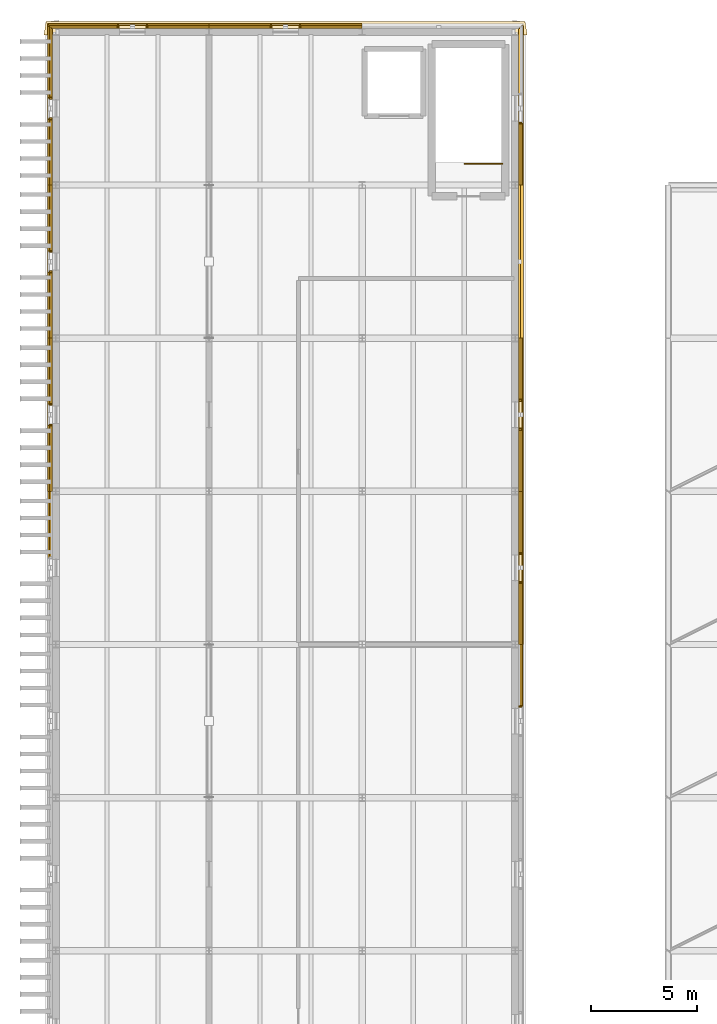
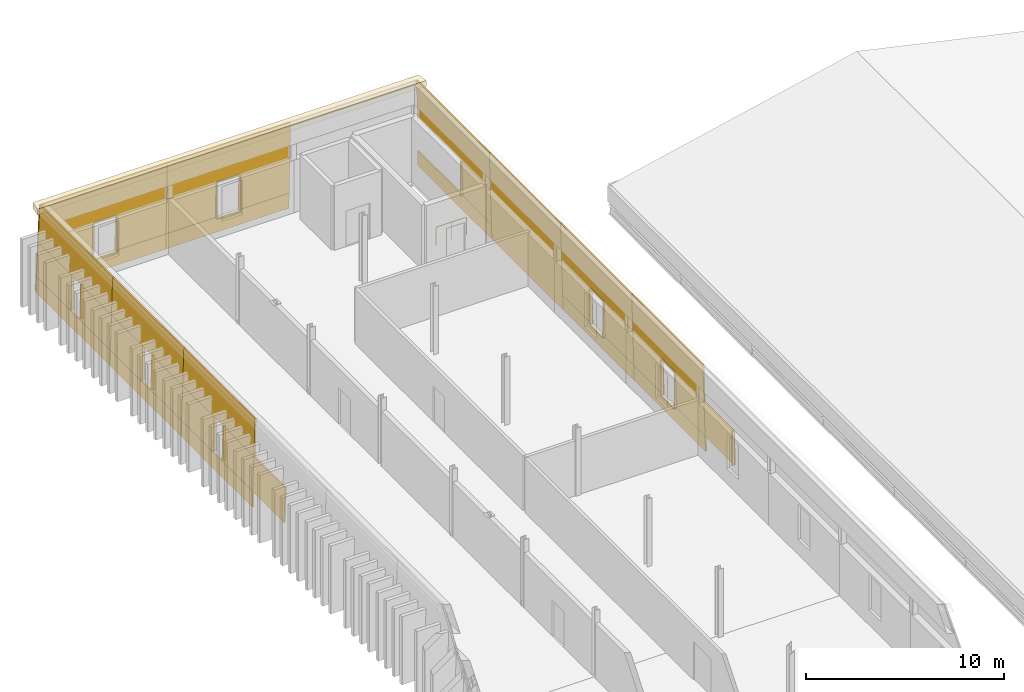
# One storey, part 42 of 44: 59 coverings, 1 railing.
"""IFC4 building model written with IfcOpenShell, lengths in metres."""

from ifc_helpers import new_model, si_unit, direction, frame, origin, origin_2d, place, context, subcontext, project, spatial, polyline, circle, outline, extrude, material, layer, layer_set, type_object, element, save


model = new_model("IFC4")

# Units and contexts
model_context = context("Model", 3, precision=1e-05, world=origin(), true_north=direction((0.0, 1.0)))
body_context = subcontext(model_context, "Body", "Model", "MODEL_VIEW")
ifc_project = project(units=[si_unit("LENGTHUNIT", "METRE"), si_unit("AREAUNIT", "SQUARE_METRE"), si_unit("VOLUMEUNIT", "CUBIC_METRE"), si_unit("PLANEANGLEUNIT", "RADIAN"), si_unit("MASSUNIT", "GRAM", prefix="KILO")], contexts=[model_context])

# Site, building, storey
site_placement = place(None, origin())
site = spatial("IfcSite", under=ifc_project, at=site_placement, CompositionType="ELEMENT")
building_placement = place(site_placement, origin())
building = spatial("IfcBuilding", under=site, at=building_placement, Name="Narikvali Park Central Library", CompositionType="ELEMENT")
storey_placement = place(building_placement, frame((0.0, 0.0, 22.800048828125)))
storey = spatial("IfcBuildingStorey", under=building, at=storey_placement, Name="L05", CompositionType="ELEMENT", Elevation=22.800048828125)

# Coverings
ifc_material_1 = material(Name="White Honed Limestone Cladding", Category="masonry")
ifc_layer_1 = layer(ifc_material_1, 0.0849609375, Name="White Honed Limestone Cladding")
ifc_layer_set_1 = layer_set([ifc_layer_1], Name="White Honed Limestone Cladding")
covering_type_1 = type_object("IfcCoveringType", Name="Battered White Limestone Facade Cladding Panel", PredefinedType="CLADDING", material=ifc_layer_set_1)
covering_1_placement = place(storey_placement, frame((21.96630859375, 76.239990234375, 0.949951171875), z_axis=(0.99959725493, 0.0, 0.028378300447), x_axis=(0.0, 1.0, 0.0)))
element("IfcCovering", 1, at=covering_1_placement, inside=storey, type_object=covering_type_1, Name="V5 L05 E Battered Limestone Jamb Pier R B05", PredefinedType="CLADDING", context=body_context, shape_type="SweptSolid", body=[
    extrude(outline(polyline([(0.0, 0.0), (2.9599609375, 0.0), (2.9599609375, 2.150768555182125), (0.0, 2.150768555182125), (0.0, 0.0)])), origin(), (0.0, 0.0, -1.0), 0.0849609375),
])
covering_2_placement = place(storey_placement, frame((21.9931640625, 79.199951171875, 0.0), z_axis=(0.999600632529, 0.0, 0.02825907725), x_axis=(0.0, 1.0, 0.0)))
element("IfcCovering", 2, at=covering_2_placement, inside=storey, type_object=covering_type_1, Name="V5 L05 E Battered Limestone Spandrel B06", PredefinedType="CLADDING", context=body_context, shape_type="SweptSolid", body=[
    extrude(outline(polyline([(0.0, 0.0), (7.199951171875, 0.0), (7.199951171875, 0.9503307030441919), (0.0, 0.9503307030441919), (0.0, 0.0)])), origin(), (0.0, 0.0, -1.0), 0.0849609375),
])
covering_3_placement = place(storey_placement, frame((21.9052734375, 79.199951171875, 3.099853515625), z_axis=(0.999598637315, 0.0, 0.028329565456), x_axis=(0.0, 1.0, 0.0)))
element("IfcCovering", 3, at=covering_3_placement, inside=storey, type_object=covering_type_1, Name="V5 L05 E Battered Limestone Lintel B06", PredefinedType="CLADDING", context=body_context, shape_type="SweptSolid", body=[
    extrude(outline(polyline([(0.0, 0.0), (7.199951171875, 0.0), (7.199951171875, 2.3009723525676224), (0.0, 2.3009723525676224), (0.0, 0.0)])), origin(), (0.0, 0.0, -1.0), 0.0849609375),
])
for number, where, z_axis, x_axis, name in (
    (4, (21.96630859375, 79.199951171875, 0.949951171875), (0.99959725493, 0.0, 0.028378300447), (0.0, 1.0, 0.0), "V5 L05 E Battered Limestone Jamb Pier L B06"),
    (5, (21.96630859375, 83.43994140625, 0.949951171875), (0.99959725493, 0.0, 0.028378300447), (0.0, 1.0, 0.0), "V5 L05 E Battered Limestone Jamb Pier R B06"),
):
    element("IfcCovering", number, at=place(storey_placement, frame(where, z_axis=z_axis, x_axis=x_axis)), inside=storey, type_object=covering_type_1, Name=name, PredefinedType="CLADDING", context=body_context, shape_type="SweptSolid", body=[
        extrude(outline(polyline([(0.0, 0.0), (2.9599609375, 0.0), (2.9599609375, 2.150768555182125), (0.0, 2.150768555182125), (0.0, 0.0)])), origin(), (0.0, 0.0, -1.0), 0.0849609375),
    ])
covering_4_placement = place(storey_placement, frame((21.9931640625, 86.39990234375, 0.0), z_axis=(0.999600632529, 0.0, 0.02825907725), x_axis=(0.0, 1.0, 0.0)))
element("IfcCovering", 6, at=covering_4_placement, inside=storey, type_object=covering_type_1, Name="V5 L05 E Battered Limestone Spandrel B07", PredefinedType="CLADDING", context=body_context, shape_type="SweptSolid", body=[
    extrude(outline(polyline([(0.0, 0.0), (7.2001953125, 0.0), (7.2001953125, 0.950330703044192), (0.0, 0.950330703044192), (0.0, 0.0)])), origin(), (0.0, 0.0, -1.0), 0.0849609375),
])
covering_5_placement = place(storey_placement, frame((21.9052734375, 86.39990234375, 3.099853515625), z_axis=(0.999598637315, 0.0, 0.028329565456), x_axis=(0.0, 1.0, 0.0)))
element("IfcCovering", 7, at=covering_5_placement, inside=storey, type_object=covering_type_1, Name="V5 L05 E Battered Limestone Lintel B07", PredefinedType="CLADDING", context=body_context, shape_type="SweptSolid", body=[
    extrude(outline(polyline([(0.0, 0.0), (7.2001953125, 0.0), (7.2001953125, 2.300972352567622), (0.0, 2.300972352567622), (0.0, 0.0)])), origin(), (0.0, 0.0, -1.0), 0.0849609375),
])
for number, where, z_axis, x_axis, name in (
    (8, (21.96630859375, 86.39990234375, 0.949951171875), (0.99959725493, 0.0, 0.028378300447), (0.0, 1.0, 0.0), "V5 L05 E Battered Limestone Jamb Pier L B07"),
    (9, (21.96630859375, 90.639892578125, 0.949951171875), (0.99959725493, 0.0, 0.028378300447), (0.0, 1.0, 0.0), "V5 L05 E Battered Limestone Jamb Pier R B07"),
):
    element("IfcCovering", number, at=place(storey_placement, frame(where, z_axis=z_axis, x_axis=x_axis)), inside=storey, type_object=covering_type_1, Name=name, PredefinedType="CLADDING", context=body_context, shape_type="SweptSolid", body=[
        extrude(outline(polyline([(0.0, 0.0), (2.960205078125, 0.0), (2.960205078125, 2.150768555182125), (0.0, 2.150768555182125), (0.0, 0.0)])), origin(), (0.0, 0.0, -1.0), 0.0849609375),
    ])
covering_6_placement = place(storey_placement, frame((21.9931640625, 93.60009765625, 0.0), z_axis=(0.999598438818, 0.0, 0.028336568457), x_axis=(0.0, 1.0, 0.0)))
element("IfcCovering", 10, at=covering_6_placement, inside=storey, type_object=covering_type_1, Name="V5 L05 E Battered Limestone Panel B08", PredefinedType="CLADDING", context=body_context, shape_type="SweptSolid", body=[
    extrude(outline(polyline([(0.0, 0.0), (7.199951171875, 0.0), (7.199951171875, 5.402071606007519), (0.0, 5.402071606007519), (0.0, 0.0)])), origin(), (0.0, 0.0, -1.0), 0.0849609375),
])
covering_7_placement = place(storey_placement, frame((21.9931640625, 100.800048828125, 0.0), z_axis=(0.999600632529, 0.0, 0.02825907725), x_axis=(0.0, 1.0, 0.0)))
element("IfcCovering", 11, at=covering_7_placement, inside=storey, type_object=covering_type_1, Name="V5 L05 E Battered Limestone Spandrel B09", PredefinedType="CLADDING", context=body_context, shape_type="SweptSolid", body=[
    extrude(outline(polyline([(0.0, 0.0), (7.508056640625, 0.0), (7.481201171875, 0.9503307030441919), (0.0, 0.9503307030441919), (0.0, 0.0)])), origin(), (0.0, 0.0, -1.0), 0.0849609375),
])
covering_8_placement = place(storey_placement, frame((21.9052734375, 100.800048828125, 3.099853515625), z_axis=(0.999598637315, 0.0, 0.028329565456), x_axis=(0.0, 1.0, 0.0)))
element("IfcCovering", 12, at=covering_8_placement, inside=storey, type_object=covering_type_1, Name="V5 L05 E Battered Limestone Lintel B09", PredefinedType="CLADDING", context=body_context, shape_type="SweptSolid", body=[
    extrude(outline(polyline([(0.0, 0.0), (7.420166015625, 0.0), (7.35498046875, 2.3009723525676224), (0.0, 2.3009723525676224), (0.0, 0.0)])), origin(), (0.0, 0.0, -1.0), 0.0849609375),
])
covering_9_placement = place(storey_placement, frame((21.96630859375, 100.800048828125, 0.949951171875), z_axis=(0.99959725493, 0.0, 0.028378300447), x_axis=(0.0, 1.0, 0.0)))
element("IfcCovering", 13, at=covering_9_placement, inside=storey, type_object=covering_type_1, Name="V5 L05 E Battered Limestone Jamb Pier L B09", PredefinedType="CLADDING", context=body_context, shape_type="SweptSolid", body=[
    extrude(outline(polyline([(0.0, 0.0), (2.9599609375, 0.0), (2.9599609375, 2.150768555182125), (0.0, 2.150768555182125), (0.0, 0.0)])), origin(), (0.0, 0.0, -1.0), 0.0849609375),
])
covering_10_placement = place(storey_placement, frame((14.39990234375, 108.393310546875, 0.0), z_axis=(0.0, 0.999593342746, 0.028515769994), x_axis=(-1.0, 0.0, 0.0)))
element("IfcCovering", 14, at=covering_10_placement, inside=storey, type_object=covering_type_1, Name="V5 L05 N Battered Limestone Spandrel B02", PredefinedType="CLADDING", context=body_context, shape_type="SweptSolid", body=[
    extrude(outline(polyline([(0.0, 0.0), (7.199951171875, 0.0), (7.199951171875, 0.9503376335676513), (0.0, 0.9503376335676513), (0.0, 0.0)])), origin(), (0.0, 0.0, -1.0), 0.0849609375),
])
covering_11_placement = place(storey_placement, frame((14.39990234375, 108.30517578125, 3.099853515625), z_axis=(0.0, 0.999598637315, 0.028329565456), x_axis=(-1.0, 0.0, 0.0)))
element("IfcCovering", 15, at=covering_11_placement, inside=storey, type_object=covering_type_1, Name="V5 L05 N Battered Limestone Lintel B02", PredefinedType="CLADDING", context=body_context, shape_type="SweptSolid", body=[
    extrude(outline(polyline([(0.0, 0.0), (7.199951171875, 0.0), (7.199951171875, 2.3009723525676224), (0.0, 2.3009723525676224), (0.0, 0.0)])), origin(), (0.0, 0.0, -1.0), 0.0849609375),
])
for number, where, z_axis, x_axis, name in (
    (16, (14.39990234375, 108.3662109375, 0.949951171875), (0.0, 0.99959725493, 0.028378300447), (-1.0, 0.0, 0.0), "V5 L05 N Battered Limestone Jamb Pier L B02"),
    (17, (10.159912109375, 108.3662109375, 0.949951171875), (0.0, 0.99959725493, 0.028378300447), (-1.0, 0.0, 0.0), "V5 L05 N Battered Limestone Jamb Pier R B02"),
):
    element("IfcCovering", number, at=place(storey_placement, frame(where, z_axis=z_axis, x_axis=x_axis)), inside=storey, type_object=covering_type_1, Name=name, PredefinedType="CLADDING", context=body_context, shape_type="SweptSolid", body=[
        extrude(outline(polyline([(0.0, 0.0), (2.9599609375, 0.0), (2.9599609375, 2.150768555182125), (0.0, 2.150768555182125), (0.0, 0.0)])), origin(), (0.0, 0.0, -1.0), 0.0849609375),
    ])
covering_12_placement = place(storey_placement, frame((7.199951171875, 108.393310546875, 0.0), z_axis=(0.0, 0.999593342746, 0.028515769994), x_axis=(-1.0, 0.0, 0.0)))
element("IfcCovering", 18, at=covering_12_placement, inside=storey, type_object=covering_type_1, Name="V5 L05 N Battered Limestone Spandrel B03", PredefinedType="CLADDING", context=body_context, shape_type="SweptSolid", body=[
    extrude(outline(polyline([(0.0, 0.0), (7.59326171875, 0.0), (7.566162109375, 0.9503376335676512), (0.0, 0.9503376335676512), (0.0, 0.0)])), origin(), (0.0, 0.0, -1.0), 0.0849609375),
])
covering_13_placement = place(storey_placement, frame((7.199951171875, 108.30517578125, 3.099853515625), z_axis=(0.0, 0.999598637315, 0.028329565456), x_axis=(-1.0, 0.0, 0.0)))
element("IfcCovering", 19, at=covering_13_placement, inside=storey, type_object=covering_type_1, Name="V5 L05 N Battered Limestone Lintel B03", PredefinedType="CLADDING", context=body_context, shape_type="SweptSolid", body=[
    extrude(outline(polyline([(0.0, 0.0), (7.505126953125, 0.0), (7.43994140625, 2.300972352567622), (0.0, 2.300972352567622), (0.0, 0.0)])), origin(), (0.0, 0.0, -1.0), 0.0849609375),
])
covering_14_placement = place(storey_placement, frame((7.199951171875, 108.3662109375, 0.949951171875), z_axis=(0.0, 0.99959725493, 0.028378300447), x_axis=(-1.0, 0.0, 0.0)))
element("IfcCovering", 20, at=covering_14_placement, inside=storey, type_object=covering_type_1, Name="V5 L05 N Battered Limestone Jamb Pier L B03", PredefinedType="CLADDING", context=body_context, shape_type="SweptSolid", body=[
    extrude(outline(polyline([(0.0, 0.0), (2.9599609375, 0.0), (2.9599609375, 2.150768555182125), (0.0, 2.150768555182125), (0.0, 0.0)])), origin(), (0.0, 0.0, -1.0), 0.0849609375),
])
covering_15_placement = place(storey_placement, frame((2.9599609375, 108.3662109375, 0.949951171875), z_axis=(0.0, 0.99959725493, 0.028378300447), x_axis=(-1.0, 0.0, 0.0)))
element("IfcCovering", 21, at=covering_15_placement, inside=storey, type_object=covering_type_1, Name="V5 L05 N Battered Limestone Jamb Pier R B03", PredefinedType="CLADDING", context=body_context, shape_type="SweptSolid", body=[
    extrude(outline(polyline([(0.0, 0.0), (3.326171875, 0.0), (3.26513671875, 2.150768555182125), (0.0, 2.150768555182125), (0.0, 0.0)])), origin(), (0.0, 0.0, -1.0), 0.0849609375),
])
covering_16_placement = place(storey_placement, frame((-0.393310546875, 108.30810546875, 0.0), z_axis=(-0.999593342746, 0.0, 0.028515769994), x_axis=(0.0, -1.0, 0.0)))
element("IfcCovering", 22, at=covering_16_placement, inside=storey, type_object=covering_type_1, Name="V5 L05 W Battered Limestone Spandrel B01", PredefinedType="CLADDING", context=body_context, shape_type="SweptSolid", body=[
    extrude(outline(polyline([(0.0, 0.0), (7.508056640625, 0.0), (7.508056640625, 0.9503376335676512), (0.02685546875, 0.9503376335676512), (0.0, 0.0)])), origin(), (0.0, 0.0, -1.0), 0.0849609375),
])
covering_17_placement = place(storey_placement, frame((-0.30517578125, 108.22021484375, 3.099853515625), z_axis=(-0.999598637315, 0.0, 0.028329565456), x_axis=(0.0, -1.0, 0.0)))
element("IfcCovering", 23, at=covering_17_placement, inside=storey, type_object=covering_type_1, Name="V5 L05 W Battered Limestone Lintel B01", PredefinedType="CLADDING", context=body_context, shape_type="SweptSolid", body=[
    extrude(outline(polyline([(0.0, 0.0), (7.420166015625, 0.0), (7.420166015625, 2.3009723525676224), (0.065185546875, 2.3009723525676224), (0.0, 0.0)])), origin(), (0.0, 0.0, -1.0), 0.0849609375),
])
covering_18_placement = place(storey_placement, frame((-0.3662109375, 108.28125, 0.949951171875), z_axis=(-0.99959725493, 0.0, 0.028378300447), x_axis=(0.0, -1.0, 0.0)))
element("IfcCovering", 24, at=covering_18_placement, inside=storey, type_object=covering_type_1, Name="V5 L05 W Battered Limestone Jamb Pier L B01", PredefinedType="CLADDING", context=body_context, shape_type="SweptSolid", body=[
    extrude(outline(polyline([(0.0, 0.0), (3.441162109375, 0.0), (3.441162109375, 2.150768555182125), (0.06103515625, 2.150768555182125), (0.0, 0.0)])), origin(), (0.0, 0.0, -1.0), 0.0849609375),
])
covering_19_placement = place(storey_placement, frame((-0.3662109375, 103.9599609375, 0.949951171875), z_axis=(-0.99959725493, 0.0, 0.028378300447), x_axis=(0.0, -1.0, 0.0)))
element("IfcCovering", 25, at=covering_19_placement, inside=storey, type_object=covering_type_1, Name="V5 L05 W Battered Limestone Jamb Pier R B01", PredefinedType="CLADDING", context=body_context, shape_type="SweptSolid", body=[
    extrude(outline(polyline([(0.0, 0.0), (3.159912109375, 0.0), (3.159912109375, 2.150768555182125), (0.0, 2.150768555182125), (0.0, 0.0)])), origin(), (0.0, 0.0, -1.0), 0.0849609375),
])
covering_20_placement = place(storey_placement, frame((-0.393310546875, 100.800048828125, 0.0), z_axis=(-0.999593342746, 0.0, 0.028515769994), x_axis=(0.0, -1.0, 0.0)))
element("IfcCovering", 26, at=covering_20_placement, inside=storey, type_object=covering_type_1, Name="V5 L05 W Battered Limestone Spandrel B02", PredefinedType="CLADDING", context=body_context, shape_type="SweptSolid", body=[
    extrude(outline(polyline([(0.0, 0.0), (7.199951171875, 0.0), (7.199951171875, 0.9503376335676513), (0.0, 0.9503376335676513), (0.0, 0.0)])), origin(), (0.0, 0.0, -1.0), 0.0849609375),
])
covering_21_placement = place(storey_placement, frame((-0.30517578125, 100.800048828125, 3.099853515625), z_axis=(-0.999598637315, 0.0, 0.028329565456), x_axis=(0.0, -1.0, 0.0)))
element("IfcCovering", 27, at=covering_21_placement, inside=storey, type_object=covering_type_1, Name="V5 L05 W Battered Limestone Lintel B02", PredefinedType="CLADDING", context=body_context, shape_type="SweptSolid", body=[
    extrude(outline(polyline([(0.0, 0.0), (7.199951171875, 0.0), (7.199951171875, 2.3009723525676224), (0.0, 2.3009723525676224), (0.0, 0.0)])), origin(), (0.0, 0.0, -1.0), 0.0849609375),
])
covering_22_placement = place(storey_placement, frame((-0.3662109375, 100.800048828125, 0.949951171875), z_axis=(-0.99959725493, 0.0, 0.028378300447), x_axis=(0.0, -1.0, 0.0)))
element("IfcCovering", 28, at=covering_22_placement, inside=storey, type_object=covering_type_1, Name="V5 L05 W Battered Limestone Jamb Pier L B02", PredefinedType="CLADDING", context=body_context, shape_type="SweptSolid", body=[
    extrude(outline(polyline([(0.0, 0.0), (3.16015625, 0.0), (3.16015625, 2.150768555182125), (0.0, 2.150768555182125), (0.0, 0.0)])), origin(), (0.0, 0.0, -1.0), 0.0849609375),
])
covering_23_placement = place(storey_placement, frame((-0.3662109375, 96.760009765625, 0.949951171875), z_axis=(-0.99959725493, 0.0, 0.028378300447), x_axis=(0.0, -1.0, 0.0)))
element("IfcCovering", 29, at=covering_23_placement, inside=storey, type_object=covering_type_1, Name="V5 L05 W Battered Limestone Jamb Pier R B02", PredefinedType="CLADDING", context=body_context, shape_type="SweptSolid", body=[
    extrude(outline(polyline([(0.0, 0.0), (3.159912109375, 0.0), (3.159912109375, 2.150768555182125), (0.0, 2.150768555182125), (0.0, 0.0)])), origin(), (0.0, 0.0, -1.0), 0.0849609375),
])
covering_24_placement = place(storey_placement, frame((-0.393310546875, 93.60009765625, 0.0), z_axis=(-0.999593342746, 0.0, 0.028515769994), x_axis=(0.0, -1.0, 0.0)))
element("IfcCovering", 30, at=covering_24_placement, inside=storey, type_object=covering_type_1, Name="V5 L05 W Battered Limestone Spandrel B03", PredefinedType="CLADDING", context=body_context, shape_type="SweptSolid", body=[
    extrude(outline(polyline([(0.0, 0.0), (7.2001953125, 0.0), (7.2001953125, 0.9503376335676512), (0.0, 0.9503376335676512), (0.0, 0.0)])), origin(), (0.0, 0.0, -1.0), 0.0849609375),
])
covering_25_placement = place(storey_placement, frame((-0.30517578125, 93.60009765625, 3.099853515625), z_axis=(-0.999598637315, 0.0, 0.028329565456), x_axis=(0.0, -1.0, 0.0)))
element("IfcCovering", 31, at=covering_25_placement, inside=storey, type_object=covering_type_1, Name="V5 L05 W Battered Limestone Lintel B03", PredefinedType="CLADDING", context=body_context, shape_type="SweptSolid", body=[
    extrude(outline(polyline([(0.0, 0.0), (7.2001953125, 0.0), (7.2001953125, 2.300972352567622), (0.0, 2.300972352567622), (0.0, 0.0)])), origin(), (0.0, 0.0, -1.0), 0.0849609375),
])
for number, where, z_axis, x_axis, name in (
    (32, (-0.3662109375, 93.60009765625, 0.949951171875), (-0.99959725493, 0.0, 0.028378300447), (0.0, -1.0, 0.0), "V5 L05 W Battered Limestone Jamb Pier L B03"),
    (33, (-0.3662109375, 89.56005859375, 0.949951171875), (-0.99959725493, 0.0, 0.028378300447), (0.0, -1.0, 0.0), "V5 L05 W Battered Limestone Jamb Pier R B03"),
):
    element("IfcCovering", number, at=place(storey_placement, frame(where, z_axis=z_axis, x_axis=x_axis)), inside=storey, type_object=covering_type_1, Name=name, PredefinedType="CLADDING", context=body_context, shape_type="SweptSolid", body=[
        extrude(outline(polyline([(0.0, 0.0), (3.16015625, 0.0), (3.16015625, 2.150768555182125), (0.0, 2.150768555182125), (0.0, 0.0)])), origin(), (0.0, 0.0, -1.0), 0.0849609375),
    ])
covering_26_placement = place(storey_placement, frame((-0.3662109375, 86.39990234375, 0.949951171875), z_axis=(-0.99959725493, 0.0, 0.028378300447), x_axis=(0.0, -1.0, 0.0)))
element("IfcCovering", 34, at=covering_26_placement, inside=storey, type_object=covering_type_1, Name="V5 L05 W Battered Limestone Jamb Pier L B04", PredefinedType="CLADDING", context=body_context, shape_type="SweptSolid", body=[
    extrude(outline(polyline([(0.0, 0.0), (3.159912109375, 0.0), (3.159912109375, 2.150768555182125), (0.0, 2.150768555182125), (0.0, 0.0)])), origin(), (0.0, 0.0, -1.0), 0.0849609375),
])
ifc_material_2 = material(Name="White Carved Limestone Cornice", Category="masonry")
ifc_layer_2 = layer(ifc_material_2, 0.360107421875, Name="White Carved Limestone Cornice")
ifc_layer_set_2 = layer_set([ifc_layer_2], Name="White Carved Limestone Cornice")
covering_type_2 = type_object("IfcCoveringType", Name="Classical Projecting White Limestone Cornice", PredefinedType="CLADDING", material=ifc_layer_set_2)
covering_27_placement = place(storey_placement, frame((0.0, 0.0, 5.079833984375)))
element("IfcCovering", 35, at=covering_27_placement, inside=storey, type_object=covering_type_2, Name="V5 Main Hall of Books Classical Roof Cornice N", PredefinedType="CLADDING", context=body_context, shape_type="SweptSolid", body=[
    extrude(outline(polyline([(22.159912109375, 107.860107421875), (-0.56005859375, 107.860107421875), (-0.4599609375, 108.47998046875), (22.06005859375, 108.47998046875), (22.159912109375, 107.860107421875)])), origin(), (0.0, 0.0, 1.0), 0.360107421875),
])
ifc_layer_3 = layer(ifc_material_1, 0.080078125, Name="White Honed Limestone Cladding")
ifc_layer_set_3 = layer_set([ifc_layer_3], Name="White Honed Limestone Cladding")
covering_type_3 = type_object("IfcCoveringType", Name="Deep Carved White Limestone Window Reveal", PredefinedType="CLADDING", material=ifc_layer_set_3)
covering_28_placement = place(storey_placement, frame((0.0, 0.0, 0.949951171875)))
element("IfcCovering", 36, at=covering_28_placement, inside=storey, type_object=covering_type_3, Name="Deep Stone Reveal Jamb R V5-RVL-L05-E-B05", PredefinedType="CLADDING", context=body_context, shape_type="SweptSolid", body=[
    extrude(outline(polyline([(21.764892578125, 76.239990234375), (21.764892578125, 76.320068359375), (21.9052734375, 76.320068359375), (21.9052734375, 76.239990234375), (21.764892578125, 76.239990234375)])), origin(), (0.0, 0.0, 1.0), 2.14990234375),
])
covering_29_placement = place(storey_placement, frame((0.0, 0.0, 3.099853515625)))
element("IfcCovering", 37, at=covering_29_placement, inside=storey, type_object=covering_type_3, Name="Deep Stone Reveal Head V5-RVL-L05-E-B06", PredefinedType="CLADDING", context=body_context, shape_type="SweptSolid", body=[
    extrude(outline(polyline([(21.764892578125, 82.1201171875), (21.764892578125, 83.47998046875), (21.9052734375, 83.47998046875), (21.9052734375, 82.1201171875), (21.764892578125, 82.1201171875)])), origin(), (0.0, 0.0, 1.0), 0.080078125),
])
covering_30_placement = place(storey_placement, frame((0.0, 0.0, 0.869873046875)))
element("IfcCovering", 38, at=covering_30_placement, inside=storey, type_object=covering_type_3, Name="Deep Stone Reveal Sill V5-RVL-L05-E-B06", PredefinedType="CLADDING", context=body_context, shape_type="SweptSolid", body=[
    extrude(outline(polyline([(21.764892578125, 82.1201171875), (21.764892578125, 83.47998046875), (21.96630859375, 83.47998046875), (21.96630859375, 82.1201171875), (21.764892578125, 82.1201171875)])), origin(), (0.0, 0.0, 1.0), 0.080078125),
])
covering_31_placement = place(storey_placement, frame((0.0, 0.0, 0.949951171875)))
element("IfcCovering", 39, at=covering_31_placement, inside=storey, type_object=covering_type_3, Name="Deep Stone Reveal Jamb L V5-RVL-L05-E-B06", PredefinedType="CLADDING", context=body_context, shape_type="SweptSolid", body=[
    extrude(outline(polyline([(21.764892578125, 82.080078125), (21.764892578125, 82.159912109375), (21.9052734375, 82.159912109375), (21.9052734375, 82.080078125), (21.764892578125, 82.080078125)])), origin(), (0.0, 0.0, 1.0), 2.14990234375),
])
covering_32_placement = place(storey_placement, frame((0.0, 0.0, 0.949951171875)))
element("IfcCovering", 40, at=covering_32_placement, inside=storey, type_object=covering_type_3, Name="Deep Stone Reveal Jamb R V5-RVL-L05-E-B06", PredefinedType="CLADDING", context=body_context, shape_type="SweptSolid", body=[
    extrude(outline(polyline([(21.764892578125, 83.43994140625), (21.764892578125, 83.52001953125), (21.9052734375, 83.52001953125), (21.9052734375, 83.43994140625), (21.764892578125, 83.43994140625)])), origin(), (0.0, 0.0, 1.0), 2.14990234375),
])
covering_33_placement = place(storey_placement, frame((0.0, 0.0, 3.099853515625)))
element("IfcCovering", 41, at=covering_33_placement, inside=storey, type_object=covering_type_3, Name="Deep Stone Reveal Head V5-RVL-L05-E-B07", PredefinedType="CLADDING", context=body_context, shape_type="SweptSolid", body=[
    extrude(outline(polyline([(21.764892578125, 89.320068359375), (21.764892578125, 90.679931640625), (21.9052734375, 90.679931640625), (21.9052734375, 89.320068359375), (21.764892578125, 89.320068359375)])), origin(), (0.0, 0.0, 1.0), 0.080078125),
])
covering_34_placement = place(storey_placement, frame((0.0, 0.0, 0.869873046875)))
element("IfcCovering", 42, at=covering_34_placement, inside=storey, type_object=covering_type_3, Name="Deep Stone Reveal Sill V5-RVL-L05-E-B07", PredefinedType="CLADDING", context=body_context, shape_type="SweptSolid", body=[
    extrude(outline(polyline([(21.764892578125, 89.320068359375), (21.764892578125, 90.679931640625), (21.96630859375, 90.679931640625), (21.96630859375, 89.320068359375), (21.764892578125, 89.320068359375)])), origin(), (0.0, 0.0, 1.0), 0.080078125),
])
covering_35_placement = place(storey_placement, frame((0.0, 0.0, 0.949951171875)))
element("IfcCovering", 43, at=covering_35_placement, inside=storey, type_object=covering_type_3, Name="Deep Stone Reveal Jamb L V5-RVL-L05-E-B07", PredefinedType="CLADDING", context=body_context, shape_type="SweptSolid", body=[
    extrude(outline(polyline([(21.764892578125, 89.280029296875), (21.764892578125, 89.360107421875), (21.9052734375, 89.360107421875), (21.9052734375, 89.280029296875), (21.764892578125, 89.280029296875)])), origin(), (0.0, 0.0, 1.0), 2.14990234375),
])
covering_36_placement = place(storey_placement, frame((0.0, 0.0, 0.949951171875)))
element("IfcCovering", 44, at=covering_36_placement, inside=storey, type_object=covering_type_3, Name="Deep Stone Reveal Jamb R V5-RVL-L05-E-B07", PredefinedType="CLADDING", context=body_context, shape_type="SweptSolid", body=[
    extrude(outline(polyline([(21.764892578125, 90.639892578125), (21.764892578125, 90.719970703125), (21.9052734375, 90.719970703125), (21.9052734375, 90.639892578125), (21.764892578125, 90.639892578125)])), origin(), (0.0, 0.0, 1.0), 2.14990234375),
])
covering_37_placement = place(storey_placement, frame((0.0, 0.0, 0.949951171875)))
element("IfcCovering", 45, at=covering_37_placement, inside=storey, type_object=covering_type_3, Name="Deep Stone Reveal Jamb L V5-RVL-L05-E-B09", PredefinedType="CLADDING", context=body_context, shape_type="SweptSolid", body=[
    extrude(outline(polyline([(21.764892578125, 103.679931640625), (21.764892578125, 103.760009765625), (21.9052734375, 103.760009765625), (21.9052734375, 103.679931640625), (21.764892578125, 103.679931640625)])), origin(), (0.0, 0.0, 1.0), 2.14990234375),
])
covering_38_placement = place(storey_placement, frame((0.0, 0.0, 3.099853515625)))
element("IfcCovering", 46, at=covering_38_placement, inside=storey, type_object=covering_type_3, Name="Deep Stone Reveal Head V5-RVL-L05-N-B02", PredefinedType="CLADDING", context=body_context, shape_type="SweptSolid", body=[
    extrude(outline(polyline([(11.47998046875, 108.1650390625), (10.1201171875, 108.1650390625), (10.1201171875, 108.30517578125), (11.47998046875, 108.30517578125), (11.47998046875, 108.1650390625)])), origin(), (0.0, 0.0, 1.0), 0.080078125),
])
covering_39_placement = place(storey_placement, frame((0.0, 0.0, 0.869873046875)))
element("IfcCovering", 47, at=covering_39_placement, inside=storey, type_object=covering_type_3, Name="Deep Stone Reveal Sill V5-RVL-L05-N-B02", PredefinedType="CLADDING", context=body_context, shape_type="SweptSolid", body=[
    extrude(outline(polyline([(11.47998046875, 108.1650390625), (10.1201171875, 108.1650390625), (10.1201171875, 108.3662109375), (11.47998046875, 108.3662109375), (11.47998046875, 108.1650390625)])), origin(), (0.0, 0.0, 1.0), 0.080078125),
])
covering_40_placement = place(storey_placement, frame((0.0, 0.0, 0.949951171875)))
element("IfcCovering", 48, at=covering_40_placement, inside=storey, type_object=covering_type_3, Name="Deep Stone Reveal Jamb L V5-RVL-L05-N-B02", PredefinedType="CLADDING", context=body_context, shape_type="SweptSolid", body=[
    extrude(outline(polyline([(11.52001953125, 108.1650390625), (11.43994140625, 108.1650390625), (11.43994140625, 108.30517578125), (11.52001953125, 108.30517578125), (11.52001953125, 108.1650390625)])), origin(), (0.0, 0.0, 1.0), 2.14990234375),
])
covering_41_placement = place(storey_placement, frame((0.0, 0.0, 0.949951171875)))
element("IfcCovering", 49, at=covering_41_placement, inside=storey, type_object=covering_type_3, Name="Deep Stone Reveal Jamb R V5-RVL-L05-N-B02", PredefinedType="CLADDING", context=body_context, shape_type="SweptSolid", body=[
    extrude(outline(polyline([(10.159912109375, 108.1650390625), (10.080078125, 108.1650390625), (10.080078125, 108.30517578125), (10.159912109375, 108.30517578125), (10.159912109375, 108.1650390625)])), origin(), (0.0, 0.0, 1.0), 2.14990234375),
])
covering_42_placement = place(storey_placement, frame((0.0, 0.0, 3.099853515625)))
element("IfcCovering", 50, at=covering_42_placement, inside=storey, type_object=covering_type_3, Name="Deep Stone Reveal Head V5-RVL-L05-N-B03", PredefinedType="CLADDING", context=body_context, shape_type="SweptSolid", body=[
    extrude(outline(polyline([(4.280029296875, 108.1650390625), (2.919921875, 108.1650390625), (2.919921875, 108.30517578125), (4.280029296875, 108.30517578125), (4.280029296875, 108.1650390625)])), origin(), (0.0, 0.0, 1.0), 0.080078125),
])
covering_43_placement = place(storey_placement, frame((0.0, 0.0, 0.869873046875)))
element("IfcCovering", 51, at=covering_43_placement, inside=storey, type_object=covering_type_3, Name="Deep Stone Reveal Sill V5-RVL-L05-N-B03", PredefinedType="CLADDING", context=body_context, shape_type="SweptSolid", body=[
    extrude(outline(polyline([(4.280029296875, 108.1650390625), (2.919921875, 108.1650390625), (2.919921875, 108.3662109375), (4.280029296875, 108.3662109375), (4.280029296875, 108.1650390625)])), origin(), (0.0, 0.0, 1.0), 0.080078125),
])
covering_44_placement = place(storey_placement, frame((0.0, 0.0, 0.949951171875)))
element("IfcCovering", 52, at=covering_44_placement, inside=storey, type_object=covering_type_3, Name="Deep Stone Reveal Jamb L V5-RVL-L05-N-B03", PredefinedType="CLADDING", context=body_context, shape_type="SweptSolid", body=[
    extrude(outline(polyline([(4.320068359375, 108.1650390625), (4.239990234375, 108.1650390625), (4.239990234375, 108.30517578125), (4.320068359375, 108.30517578125), (4.320068359375, 108.1650390625)])), origin(), (0.0, 0.0, 1.0), 2.14990234375),
])
covering_45_placement = place(storey_placement, frame((0.0, 0.0, 0.949951171875)))
element("IfcCovering", 53, at=covering_45_placement, inside=storey, type_object=covering_type_3, Name="Deep Stone Reveal Jamb R V5-RVL-L05-N-B03", PredefinedType="CLADDING", context=body_context, shape_type="SweptSolid", body=[
    extrude(outline(polyline([(2.9599609375, 108.1650390625), (2.8798828125, 108.1650390625), (2.8798828125, 108.30517578125), (2.9599609375, 108.30517578125), (2.9599609375, 108.1650390625)])), origin(), (0.0, 0.0, 1.0), 2.14990234375),
])
covering_46_placement = place(storey_placement, frame((0.0, 0.0, 0.949951171875)))
element("IfcCovering", 54, at=covering_46_placement, inside=storey, type_object=covering_type_3, Name="Deep Stone Reveal Jamb L V5-RVL-L05-W-B01", PredefinedType="CLADDING", context=body_context, shape_type="SweptSolid", body=[
    extrude(outline(polyline([(-0.1650390625, 104.919921875), (-0.1650390625, 104.840087890625), (-0.30517578125, 104.840087890625), (-0.30517578125, 104.919921875), (-0.1650390625, 104.919921875)])), origin(), (0.0, 0.0, 1.0), 2.14990234375),
])
covering_47_placement = place(storey_placement, frame((0.0, 0.0, 0.949951171875)))
element("IfcCovering", 55, at=covering_47_placement, inside=storey, type_object=covering_type_3, Name="Deep Stone Reveal Jamb R V5-RVL-L05-W-B01", PredefinedType="CLADDING", context=body_context, shape_type="SweptSolid", body=[
    extrude(outline(polyline([(-0.1650390625, 103.9599609375), (-0.1650390625, 103.8798828125), (-0.30517578125, 103.8798828125), (-0.30517578125, 103.9599609375), (-0.1650390625, 103.9599609375)])), origin(), (0.0, 0.0, 1.0), 2.14990234375),
])
covering_48_placement = place(storey_placement, frame((0.0, 0.0, 0.949951171875)))
element("IfcCovering", 56, at=covering_48_placement, inside=storey, type_object=covering_type_3, Name="Deep Stone Reveal Jamb L V5-RVL-L05-W-B02", PredefinedType="CLADDING", context=body_context, shape_type="SweptSolid", body=[
    extrude(outline(polyline([(-0.1650390625, 97.719970703125), (-0.1650390625, 97.639892578125), (-0.30517578125, 97.639892578125), (-0.30517578125, 97.719970703125), (-0.1650390625, 97.719970703125)])), origin(), (0.0, 0.0, 1.0), 2.14990234375),
])
covering_49_placement = place(storey_placement, frame((0.0, 0.0, 0.949951171875)))
element("IfcCovering", 57, at=covering_49_placement, inside=storey, type_object=covering_type_3, Name="Deep Stone Reveal Jamb R V5-RVL-L05-W-B02", PredefinedType="CLADDING", context=body_context, shape_type="SweptSolid", body=[
    extrude(outline(polyline([(-0.1650390625, 96.760009765625), (-0.1650390625, 96.679931640625), (-0.30517578125, 96.679931640625), (-0.30517578125, 96.760009765625), (-0.1650390625, 96.760009765625)])), origin(), (0.0, 0.0, 1.0), 2.14990234375),
])
covering_50_placement = place(storey_placement, frame((0.0, 0.0, 0.949951171875)))
element("IfcCovering", 58, at=covering_50_placement, inside=storey, type_object=covering_type_3, Name="Deep Stone Reveal Jamb L V5-RVL-L05-W-B03", PredefinedType="CLADDING", context=body_context, shape_type="SweptSolid", body=[
    extrude(outline(polyline([(-0.1650390625, 90.52001953125), (-0.1650390625, 90.43994140625), (-0.30517578125, 90.43994140625), (-0.30517578125, 90.52001953125), (-0.1650390625, 90.52001953125)])), origin(), (0.0, 0.0, 1.0), 2.14990234375),
])
covering_51_placement = place(storey_placement, frame((0.0, 0.0, 0.949951171875)))
element("IfcCovering", 59, at=covering_51_placement, inside=storey, type_object=covering_type_3, Name="Deep Stone Reveal Jamb R V5-RVL-L05-W-B03", PredefinedType="CLADDING", context=body_context, shape_type="SweptSolid", body=[
    extrude(outline(polyline([(-0.1650390625, 89.56005859375), (-0.1650390625, 89.47998046875), (-0.30517578125, 89.47998046875), (-0.30517578125, 89.56005859375), (-0.1650390625, 89.56005859375)])), origin(), (0.0, 0.0, 1.0), 2.14990234375),
])

# Railing
ifc_material_3 = material(Name="Powder-Coated Steel S275", Category="steel")
ifc_layer_4 = layer(ifc_material_3, 0.050048828125, Name="Powder-Coated Steel S275")
ifc_layer_set_4 = layer_set([ifc_layer_4], Name="Powder-Coated Steel S275")
railing_type = type_object("IfcRailingType", Name="Stair Well Steel Guardrail 1100", PredefinedType="GUARDRAIL", material=ifc_layer_set_4)
railing_placement = place(storey_placement, frame((21.0, 101.800048828125, 0.0)))
element("IfcRailing", 60, at=railing_placement, inside=storey, type_object=railing_type, Name="L05 ST-10 top well guard 1", PredefinedType="GUARDRAIL", context=body_context, shape_type="SweptSolid", body=[
    extrude(circle(Radius=0.02392578125, at=origin_2d()), frame((0.0, 0.0, 1.076171875), z_axis=(-1.0, 0.0, 0.0), x_axis=(0.0, -1.0, 0.0)), (0.0, 0.0, 1.0), 1.780029296875),
    extrude(circle(Radius=0.02099609375, at=origin_2d()), origin(), (0.0, 0.0, 1.0), 1.052001953125),
    extrude(circle(Radius=0.02099609375, at=origin_2d()), frame((-0.89013671875, 0.0, 0.0)), (0.0, 0.0, 1.0), 1.052001953125),
    extrude(circle(Radius=0.02099609375, at=origin_2d()), frame((-1.780029296875, 0.0, 0.0)), (0.0, 0.0, 1.0), 1.052001953125),
])

save(model, "model.ifc")
